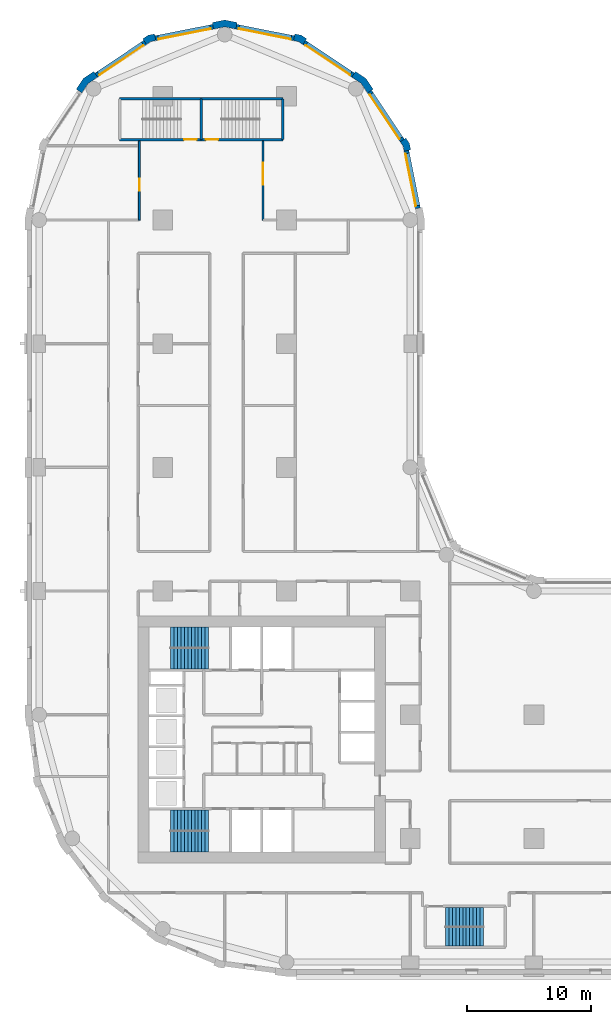
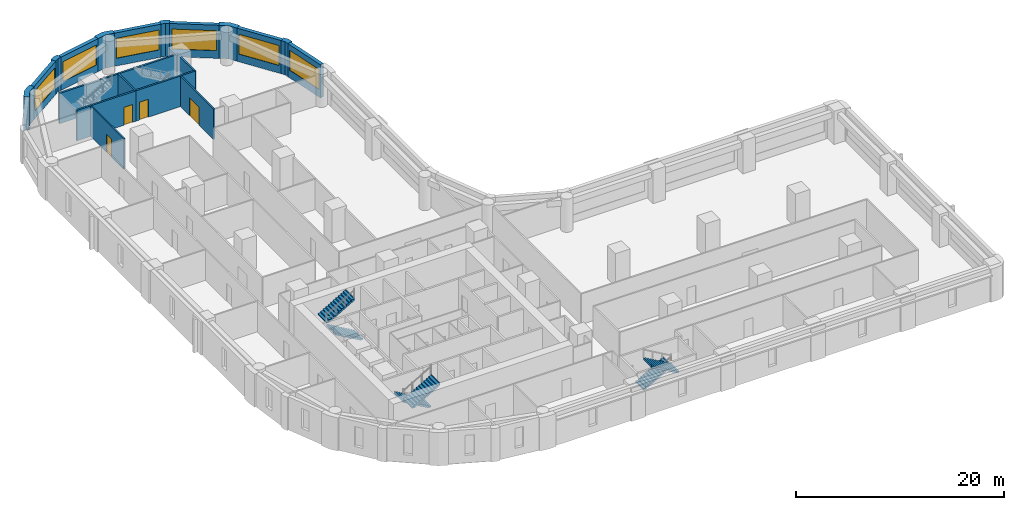
# One storey, part 7 of 10: 20 walls, 6 stair flights, 6 windows, 4 doors, 10 openings, 3 elements without a shape of their own.
"""IFC4 building model written with IfcOpenShell, lengths in metres."""

from ifc_helpers import new_model, si_unit, direction, frame, frame_2d, origin, place, context, subcontext, project, spatial, polyline, rectangle, outline, extrude, material, layer, layer_set, type_object, element, fill, aggregate, save


model = new_model("IFC4")

# Units and contexts
model_context = context("Model", 3, precision=1e-05, world=origin(), true_north=direction((0.0, 1.0)))
body_context = subcontext(model_context, "Body", "Model", "MODEL_VIEW")
ifc_project = project(units=[si_unit("LENGTHUNIT", "METRE"), si_unit("AREAUNIT", "SQUARE_METRE"), si_unit("VOLUMEUNIT", "CUBIC_METRE"), si_unit("PLANEANGLEUNIT", "RADIAN"), si_unit("MASSUNIT", "GRAM", prefix="KILO")], contexts=[model_context])

# Site, building, storey
site_placement = place(None, origin())
site = spatial("IfcSite", under=ifc_project, at=site_placement, CompositionType="ELEMENT")
building_placement = place(site_placement, origin())
building = spatial("IfcBuilding", under=site, at=building_placement, Name="Qaws Garden Tower", CompositionType="ELEMENT")
storey_placement = place(building_placement, frame((0.0, 0.0, 93.89990234375)))
storey = spatial("IfcBuildingStorey", under=building, at=storey_placement, Name="L23", CompositionType="ELEMENT", Elevation=93.89990234375)

# Wall, opening, window
ifc_material_1 = material(Name="Clay facing brick masonry", Category="masonry")
ifc_layer_1 = layer(ifc_material_1, 0.39990234375)
ifc_layer_set_1 = layer_set([ifc_layer_1], Name="Clay facing brick masonry")
wall_type_1 = type_object("IfcWallType", Name="Brick infill wall 400", PredefinedType="SOLIDWALL", material=ifc_layer_set_1)
wall_1_placement = place(storey_placement, frame((30.628662109375, 60.940673828125, 0.0), z_axis=(0.0, 0.0, 1.0), x_axis=(-0.195098533057, 0.98078364709, 0.0)))
wall_1 = element("IfcWall", 1, at=wall_1_placement, inside=storey, type_object=wall_type_1, Name="E-L23-infill-15", PredefinedType="SOLIDWALL", context=body_context, shape_type="SweptSolid", body=[
    extrude(rectangle(XDim=4.752685546875, YDim=0.39990234375, at=frame_2d((2.37646484375, 0.0))), origin(), (0.0, 0.0, 1.0), 3.900146484375),
])
opening_1_placement = place(wall_1_placement, frame((0.226318359375, 0.0, 0.89990234375)))
opening_1 = element("IfcOpeningElement", 2, at=opening_1_placement, cuts=wall_1, Name="Opening W06", PredefinedType="OPENING", context=body_context, shape_type="SweptSolid", body=[
    extrude(rectangle(XDim=4.300048828125, YDim=2.35009765625, at=frame_2d((2.14990234375, 1.175048828125))), frame((0.0, 0.2099609375, 0.0), z_axis=(0.0, -1.0, 0.0), x_axis=(1.0, 0.0, 0.0)), (0.0, 0.0, 1.0), 0.419921875),
])
ifc_material_2 = material(Name="Aluminium framed window, clear glazing", Category="aluminium")
window_type = type_object("IfcWindowType", Name="Ribbon window 4300 x 2350", PartitioningType="DOUBLE_PANEL_VERTICAL", PredefinedType="WINDOW", material=ifc_material_2)
window_1_placement = place(opening_1_placement, origin())
window_1 = element("IfcWindow", 3, at=window_1_placement, inside=storey, type_object=window_type, Name="E-L23-window-15-0", OverallHeight=2.35009765625, OverallWidth=4.300048828125, PartitioningType="SINGLE_PANEL", PredefinedType="WINDOW", context=body_context, shape_type="SweptSolid", body=[
    extrude(rectangle(XDim=4.300048828125, YDim=2.35009765625, at=frame_2d((2.14990234375, 1.175048828125))), frame((0.0, 0.159912109375, 0.0), z_axis=(0.0, -1.0, 0.0), x_axis=(1.0, 0.0, 0.0)), (0.0, 0.0, 1.0), 0.06005859375),
])
fill(opening_1, window_1)

wall_2_placement = place(storey_placement, frame((29.356689453125, 66.43408203125, 0.0), z_axis=(0.0, 0.0, 1.0), x_axis=(-0.555541552266, 0.831488775454, 0.0)))
wall_2 = element("IfcWall", 4, at=wall_2_placement, inside=storey, type_object=wall_type_1, Name="E-L23-infill-16", PredefinedType="SOLIDWALL", context=body_context, shape_type="SweptSolid", body=[
    extrude(rectangle(XDim=4.752685546875, YDim=0.39990234375, at=frame_2d((2.37646484375, 0.0))), origin(), (0.0, 0.0, 1.0), 3.900146484375),
])
opening_2_placement = place(wall_2_placement, frame((0.226318359375, 0.0, 0.89990234375)))
opening_2 = element("IfcOpeningElement", 5, at=opening_2_placement, cuts=wall_2, Name="Opening W06", PredefinedType="OPENING", context=body_context, shape_type="SweptSolid", body=[
    extrude(rectangle(XDim=4.300048828125, YDim=2.35009765625, at=frame_2d((2.14990234375, 1.175048828125))), frame((0.0, 0.2099609375, 0.0), z_axis=(0.0, -1.0, 0.0), x_axis=(1.0, 0.0, 0.0)), (0.0, 0.0, 1.0), 0.419921875),
])
window_2_placement = place(opening_2_placement, origin())
window_2 = element("IfcWindow", 6, at=window_2_placement, inside=storey, type_object=window_type, Name="E-L23-window-16-0", OverallHeight=2.35009765625, OverallWidth=4.300048828125, PartitioningType="SINGLE_PANEL", PredefinedType="WINDOW", context=body_context, shape_type="SweptSolid", body=[
    extrude(rectangle(XDim=4.300048828125, YDim=2.35009765625, at=frame_2d((2.14990234375, 1.175048828125))), frame((0.0, 0.159912109375, 0.0), z_axis=(0.0, -1.0, 0.0), x_axis=(1.0, 0.0, 0.0)), (0.0, 0.0, 1.0), 0.06005859375),
])
fill(opening_2, window_2)

wall_3_placement = place(storey_placement, frame((25.385986328125, 71.71630859375, 0.0), z_axis=(0.0, 0.0, 1.0), x_axis=(-0.831488775454, 0.555541552266, 0.0)))
wall_3 = element("IfcWall", 7, at=wall_3_placement, inside=storey, type_object=wall_type_1, Name="E-L23-infill-17", PredefinedType="SOLIDWALL", context=body_context, shape_type="SweptSolid", body=[
    extrude(rectangle(XDim=4.752685546875, YDim=0.39990234375, at=frame_2d((2.37646484375, 0.0))), origin(), (0.0, 0.0, 1.0), 3.900146484375),
])
opening_3_placement = place(wall_3_placement, frame((0.226318359375, 0.0, 0.89990234375)))
opening_3 = element("IfcOpeningElement", 8, at=opening_3_placement, cuts=wall_3, Name="Opening W06", PredefinedType="OPENING", context=body_context, shape_type="SweptSolid", body=[
    extrude(rectangle(XDim=4.300048828125, YDim=2.35009765625, at=frame_2d((2.14990234375, 1.175048828125))), frame((0.0, 0.2099609375, 0.0), z_axis=(0.0, -1.0, 0.0), x_axis=(1.0, 0.0, 0.0)), (0.0, 0.0, 1.0), 0.419921875),
])
window_3_placement = place(opening_3_placement, origin())
window_3 = element("IfcWindow", 9, at=window_3_placement, inside=storey, type_object=window_type, Name="E-L23-window-17-0", OverallHeight=2.35009765625, OverallWidth=4.300048828125, PartitioningType="SINGLE_PANEL", PredefinedType="WINDOW", context=body_context, shape_type="SweptSolid", body=[
    extrude(rectangle(XDim=4.300048828125, YDim=2.35009765625, at=frame_2d((2.14990234375, 1.175048828125))), frame((0.0, 0.159912109375, 0.0), z_axis=(0.0, -1.0, 0.0), x_axis=(1.0, 0.0, 0.0)), (0.0, 0.0, 1.0), 0.06005859375),
])
fill(opening_3, window_3)

wall_4_placement = place(storey_placement, frame((20.60205078125, 74.701416015625, 0.0), z_axis=(0.0, 0.0, 1.0), x_axis=(-0.98078364709, 0.195098533057, 0.0)))
wall_4 = element("IfcWall", 10, at=wall_4_placement, inside=storey, type_object=wall_type_1, Name="E-L23-infill-18", PredefinedType="SOLIDWALL", context=body_context, shape_type="SweptSolid", body=[
    extrude(rectangle(XDim=4.752685546875, YDim=0.39990234375, at=frame_2d((2.37646484375, 0.0))), origin(), (0.0, 0.0, 1.0), 3.900146484375),
])
opening_4_placement = place(wall_4_placement, frame((0.226318359375, 0.0, 0.89990234375)))
opening_4 = element("IfcOpeningElement", 11, at=opening_4_placement, cuts=wall_4, Name="Opening W06", PredefinedType="OPENING", context=body_context, shape_type="SweptSolid", body=[
    extrude(rectangle(XDim=4.300048828125, YDim=2.35009765625, at=frame_2d((2.14990234375, 1.175048828125))), frame((0.0, 0.2099609375, 0.0), z_axis=(0.0, -1.0, 0.0), x_axis=(1.0, 0.0, 0.0)), (0.0, 0.0, 1.0), 0.419921875),
])
window_4_placement = place(opening_4_placement, origin())
window_4 = element("IfcWindow", 12, at=window_4_placement, inside=storey, type_object=window_type, Name="E-L23-window-18-0", OverallHeight=2.35009765625, OverallWidth=4.300048828125, PartitioningType="SINGLE_PANEL", PredefinedType="WINDOW", context=body_context, shape_type="SweptSolid", body=[
    extrude(rectangle(XDim=4.300048828125, YDim=2.35009765625, at=frame_2d((2.14990234375, 1.175048828125))), frame((0.0, 0.159912109375, 0.0), z_axis=(0.0, -1.0, 0.0), x_axis=(1.0, 0.0, 0.0)), (0.0, 0.0, 1.0), 0.06005859375),
])
fill(opening_4, window_4)

wall_5_placement = place(storey_placement, frame((14.059326171875, 75.628662109375, 0.0), z_axis=(0.0, 0.0, 1.0), x_axis=(-0.98078364709, -0.195098533057, 0.0)))
wall_5 = element("IfcWall", 13, at=wall_5_placement, inside=storey, type_object=wall_type_1, Name="E-L23-infill-19", PredefinedType="SOLIDWALL", context=body_context, shape_type="SweptSolid", body=[
    extrude(rectangle(XDim=4.752685546875, YDim=0.39990234375, at=frame_2d((2.37646484375, 0.0))), origin(), (0.0, 0.0, 1.0), 3.900146484375),
])
opening_5_placement = place(wall_5_placement, frame((0.226318359375, 0.0, 0.89990234375)))
opening_5 = element("IfcOpeningElement", 14, at=opening_5_placement, cuts=wall_5, Name="Opening W06", PredefinedType="OPENING", context=body_context, shape_type="SweptSolid", body=[
    extrude(rectangle(XDim=4.300048828125, YDim=2.35009765625, at=frame_2d((2.14990234375, 1.175048828125))), frame((0.0, 0.2099609375, 0.0), z_axis=(0.0, -1.0, 0.0), x_axis=(1.0, 0.0, 0.0)), (0.0, 0.0, 1.0), 0.419921875),
])
window_5_placement = place(opening_5_placement, origin())
window_5 = element("IfcWindow", 15, at=window_5_placement, inside=storey, type_object=window_type, Name="E-L23-window-19-0", OverallHeight=2.35009765625, OverallWidth=4.300048828125, PartitioningType="SINGLE_PANEL", PredefinedType="WINDOW", context=body_context, shape_type="SweptSolid", body=[
    extrude(rectangle(XDim=4.300048828125, YDim=2.35009765625, at=frame_2d((2.14990234375, 1.175048828125))), frame((0.0, 0.159912109375, 0.0), z_axis=(0.0, -1.0, 0.0), x_axis=(1.0, 0.0, 0.0)), (0.0, 0.0, 1.0), 0.06005859375),
])
fill(opening_5, window_5)

wall_6_placement = place(storey_placement, frame((8.56591796875, 74.356689453125, 0.0), z_axis=(0.0, 0.0, 1.0), x_axis=(-0.831488775454, -0.555541552266, 0.0)))
wall_6 = element("IfcWall", 16, at=wall_6_placement, inside=storey, type_object=wall_type_1, Name="E-L23-infill-20", PredefinedType="SOLIDWALL", context=body_context, shape_type="SweptSolid", body=[
    extrude(rectangle(XDim=4.752685546875, YDim=0.39990234375, at=frame_2d((2.37646484375, 0.0))), origin(), (0.0, 0.0, 1.0), 3.900146484375),
])
opening_6_placement = place(wall_6_placement, frame((0.226318359375, 0.0, 0.89990234375)))
opening_6 = element("IfcOpeningElement", 17, at=opening_6_placement, cuts=wall_6, Name="Opening W06", PredefinedType="OPENING", context=body_context, shape_type="SweptSolid", body=[
    extrude(rectangle(XDim=4.300048828125, YDim=2.35009765625, at=frame_2d((2.14990234375, 1.175048828125))), frame((0.0, 0.2099609375, 0.0), z_axis=(0.0, -1.0, 0.0), x_axis=(1.0, 0.0, 0.0)), (0.0, 0.0, 1.0), 0.419921875),
])
window_6_placement = place(opening_6_placement, origin())
window_6 = element("IfcWindow", 18, at=window_6_placement, inside=storey, type_object=window_type, Name="E-L23-window-20-0", OverallHeight=2.35009765625, OverallWidth=4.300048828125, PartitioningType="SINGLE_PANEL", PredefinedType="WINDOW", context=body_context, shape_type="SweptSolid", body=[
    extrude(rectangle(XDim=4.300048828125, YDim=2.35009765625, at=frame_2d((2.14990234375, 1.175048828125))), frame((0.0, 0.159912109375, 0.0), z_axis=(0.0, -1.0, 0.0), x_axis=(1.0, 0.0, 0.0)), (0.0, 0.0, 1.0), 0.06005859375),
])
fill(opening_6, window_6)

# Walls
ifc_material_3 = material(Name="Clay facing brick masonry", Category="masonry")
ifc_layer_2 = layer(ifc_material_3, 0.550048828125)
ifc_layer_set_2 = layer_set([ifc_layer_2], Name="Clay facing brick masonry")
wall_type_2 = type_object("IfcWallType", Name="Brick kink pier 550 x 600", PredefinedType="SOLIDWALL", material=ifc_layer_set_2)
placement = place(storey_placement, origin())
element("IfcWall", 19, at=placement, inside=storey, type_object=wall_type_2, Name="E-L23-pier-16", PredefinedType="SOLIDWALL", context=body_context, shape_type="SweptSolid", body=[
    extrude(outline(polyline([(29.8974609375, 65.64111328125), (30.044677734375, 65.67041015625), (29.94140625, 66.18896484375), (29.647705078125, 66.628662109375), (29.52294921875, 66.545166015625), (29.1904296875, 66.322998046875), (29.42333984375, 65.974365234375), (29.505126953125, 65.56298828125), (29.8974609375, 65.64111328125)])), origin(), (0.0, 0.0, 1.0), 3.900146484375),
])
element("IfcWall", 20, at=placement, inside=storey, type_object=wall_type_2, Name="E-L23-pier-18", PredefinedType="SOLIDWALL", context=body_context, shape_type="SweptSolid", body=[
    extrude(outline(polyline([(21.545166015625, 74.52294921875), (21.628662109375, 74.647705078125), (21.18896484375, 74.94140625), (20.67041015625, 75.044677734375), (20.64111328125, 74.8974609375), (20.56298828125, 74.505126953125), (20.974365234375, 74.42333984375), (21.322998046875, 74.1904296875), (21.545166015625, 74.52294921875)])), origin(), (0.0, 0.0, 1.0), 3.900146484375),
])
element("IfcWall", 21, at=placement, inside=storey, type_object=wall_type_2, Name="E-L23-pier-20", PredefinedType="SOLIDWALL", context=body_context, shape_type="SweptSolid", body=[
    extrude(outline(polyline([(9.35888671875, 74.8974609375), (9.32958984375, 75.044677734375), (8.81103515625, 74.94140625), (8.371337890625, 74.647705078125), (8.454833984375, 74.52294921875), (8.677001953125, 74.1904296875), (9.025634765625, 74.42333984375), (9.43701171875, 74.505126953125), (9.35888671875, 74.8974609375)])), origin(), (0.0, 0.0, 1.0), 3.900146484375),
])
ifc_material_4 = material(Name="Clay facing brick masonry", Category="masonry")
ifc_layer_3 = layer(ifc_material_4, 0.550048828125)
ifc_layer_set_3 = layer_set([ifc_layer_3], Name="Clay facing brick masonry")
wall_type_3 = type_object("IfcWallType", Name="Brick pier 550 x 1600", PredefinedType="SOLIDWALL", material=ifc_layer_set_3)
element("IfcWall", 22, at=placement, inside=storey, type_object=wall_type_3, Name="E-L23-pier-17", PredefinedType="SOLIDWALL", context=body_context, shape_type="SweptSolid", body=[
    extrude(outline(polyline([(26.882568359375, 70.4970703125), (27.00732421875, 70.580322265625), (26.435791015625, 71.435791015625), (25.580322265625, 72.00732421875), (25.4970703125, 71.882568359375), (25.274658203125, 71.550048828125), (26.0390625, 71.0390625), (26.550048828125, 70.274658203125), (26.882568359375, 70.4970703125)])), origin(), (0.0, 0.0, 1.0), 3.900146484375),
])
element("IfcWall", 23, at=placement, inside=storey, type_object=wall_type_3, Name="E-L23-pier-19", PredefinedType="SOLIDWALL", context=body_context, shape_type="SweptSolid", body=[
    extrude(outline(polyline([(15.979736328125, 75.82470703125), (16.009033203125, 75.971923828125), (15.0, 76.172607421875), (13.990966796875, 75.971923828125), (14.020263671875, 75.82470703125), (14.098388671875, 75.432373046875), (15.0, 75.61181640625), (15.901611328125, 75.432373046875), (15.979736328125, 75.82470703125)])), origin(), (0.0, 0.0, 1.0), 3.900146484375),
])
element("IfcWall", 24, at=placement, inside=storey, type_object=wall_type_3, Name="E-L23-pier-21", PredefinedType="SOLIDWALL", context=body_context, shape_type="SweptSolid", body=[
    extrude(outline(polyline([(4.5029296875, 71.882568359375), (4.419677734375, 72.00732421875), (3.564208984375, 71.435791015625), (2.99267578125, 70.580322265625), (3.117431640625, 70.4970703125), (3.449951171875, 70.274658203125), (3.9609375, 71.0390625), (4.725341796875, 71.550048828125), (4.5029296875, 71.882568359375)])), origin(), (0.0, 0.0, 1.0), 3.900146484375),
])

# Wall, opening, door
ifc_material_5 = material(Name="Concrete C80", Category="concrete")
ifc_layer_4 = layer(ifc_material_5, 0.199951171875)
ifc_layer_set_4 = layer_set([ifc_layer_4], Name="Concrete C80")
wall_type_4 = type_object("IfcWallType", Name="Core shaft wall 200 C80", PredefinedType="SHEAR", material=ifc_layer_set_4)
wall_13_placement = place(storey_placement, frame((6.5, 66.5, 0.0), z_axis=(0.0, 0.0, 1.0), x_axis=(1.0, 0.0, 0.0)))
wall_13 = element("IfcWall", 25, at=wall_13_placement, inside=storey, type_object=wall_type_4, Name="Shaft wall", PredefinedType="SHEAR", context=body_context, shape_type="SweptSolid", body=[
    extrude(rectangle(XDim=6.60009765625, YDim=0.199951171875, at=frame_2d((3.300048828125, 0.0))), origin(), (0.0, 0.0, 1.0), 3.580078125),
])
opening_7_placement = place(wall_13_placement, frame((5.22509765625, 0.0, 0.0)))
opening_7 = element("IfcOpeningElement", 26, at=opening_7_placement, cuts=wall_13, Name="Opening SD13", PredefinedType="OPENING", context=body_context, shape_type="SweptSolid", body=[
    extrude(rectangle(XDim=1.0, YDim=2.10009765625, at=frame_2d((0.5, 1.050048828125))), frame((0.0, 0.10986328125, 0.0), z_axis=(0.0, -1.0, 0.0), x_axis=(1.0, 0.0, 0.0)), (0.0, 0.0, 1.0), 0.219970703125),
])
ifc_material_6 = material(Name="Steel S235", Category="steel")
door_type_1 = type_object("IfcDoorType", Name="Stair door 1000x2100", OperationType="SINGLE_SWING_RIGHT", PredefinedType="DOOR", material=ifc_material_6)
door_1_placement = place(opening_7_placement, origin())
door_1 = element("IfcDoor", 27, at=door_1_placement, inside=storey, type_object=door_type_1, Name="Stair 6 door", OperationType="SINGLE_SWING_RIGHT", OverallHeight=2.10009765625, OverallWidth=1.0, PredefinedType="DOOR", context=body_context, shape_type="SweptSolid", body=[
    extrude(rectangle(XDim=1.0, YDim=2.10009765625, at=frame_2d((0.5, 1.050048828125))), frame((0.0, 0.02490234375, 0.0), z_axis=(0.0, -1.0, 0.0), x_axis=(1.0, 0.0, 0.0)), (0.0, 0.0, 1.0), 0.050048828125),
])
fill(opening_7, door_1)

wall_14_placement = place(storey_placement, frame((13.10009765625, 66.5, 0.0), z_axis=(0.0, 0.0, 1.0), x_axis=(1.0, 0.0, 0.0)))
wall_14 = element("IfcWall", 28, at=wall_14_placement, inside=storey, type_object=wall_type_4, Name="Shaft wall", PredefinedType="SHEAR", context=body_context, shape_type="SweptSolid", body=[
    extrude(rectangle(XDim=6.599853515625, YDim=0.199951171875, at=frame_2d((3.2998046875, 0.0))), origin(), (0.0, 0.0, 1.0), 3.580078125),
])
opening_8_placement = place(wall_14_placement, frame((0.375, 0.0, 0.0)))
opening_8 = element("IfcOpeningElement", 29, at=opening_8_placement, cuts=wall_14, Name="Opening SD14", PredefinedType="OPENING", context=body_context, shape_type="SweptSolid", body=[
    extrude(rectangle(XDim=1.0, YDim=2.10009765625, at=frame_2d((0.5, 1.050048828125))), frame((0.0, 0.10986328125, 0.0), z_axis=(0.0, -1.0, 0.0), x_axis=(1.0, 0.0, 0.0)), (0.0, 0.0, 1.0), 0.219970703125),
])
door_2_placement = place(opening_8_placement, origin())
door_2 = element("IfcDoor", 30, at=door_2_placement, inside=storey, type_object=door_type_1, Name="Stair 7 door", OperationType="SINGLE_SWING_LEFT", OverallHeight=2.10009765625, OverallWidth=1.0, PredefinedType="DOOR", context=body_context, shape_type="SweptSolid", body=[
    extrude(rectangle(XDim=1.0, YDim=2.10009765625, at=frame_2d((0.5, 1.050048828125))), frame((0.0, 0.02490234375, 0.0), z_axis=(0.0, -1.0, 0.0), x_axis=(1.0, 0.0, 0.0)), (0.0, 0.0, 1.0), 0.050048828125),
])
fill(opening_8, door_2)

# Walls
wall_15_placement = place(storey_placement, frame((6.5, 69.800048828125, 0.0), z_axis=(0.0, 0.0, 1.0), x_axis=(1.0, 0.0, 0.0)))
element("IfcWall", 31, at=wall_15_placement, inside=storey, type_object=wall_type_4, Name="Shaft wall", PredefinedType="SHEAR", context=body_context, shape_type="SweptSolid", body=[
    extrude(rectangle(XDim=6.60009765625, YDim=0.199951171875, at=frame_2d((3.300048828125, 0.0))), origin(), (0.0, 0.0, 1.0), 3.580078125),
])
wall_16_placement = place(storey_placement, frame((13.10009765625, 69.800048828125, 0.0), z_axis=(0.0, 0.0, 1.0), x_axis=(1.0, 0.0, 0.0)))
element("IfcWall", 32, at=wall_16_placement, inside=storey, type_object=wall_type_4, Name="Shaft wall", PredefinedType="SHEAR", context=body_context, shape_type="SweptSolid", body=[
    extrude(rectangle(XDim=6.599853515625, YDim=0.199951171875, at=frame_2d((3.2998046875, 0.0))), origin(), (0.0, 0.0, 1.0), 3.580078125),
])
for number, where, z_axis, x_axis, name in (
    (33, (13.10009765625, 66.5, 0.0), (0.0, 0.0, 1.0), (0.0, 1.0, 0.0), "Shaft wall"),
    (34, (19.699951171875, 66.5, 0.0), (0.0, 0.0, 1.0), (0.0, 1.0, 0.0), "Shaft wall"),
):
    element("IfcWall", number, at=place(storey_placement, frame(where, z_axis=z_axis, x_axis=x_axis)), inside=storey, type_object=wall_type_4, Name=name, PredefinedType="SHEAR", context=body_context, shape_type="SweptSolid", body=[
        extrude(rectangle(XDim=3.300048828125, YDim=0.199951171875, at=frame_2d((1.64990234375, 0.0))), origin(), (0.0, 0.0, 1.0), 3.580078125),
    ])

# Wall, opening, door
ifc_material_7 = material(Name="Gypsum board partition")
ifc_layer_5 = layer(ifc_material_7, 0.14990234375)
ifc_layer_set_5 = layer_set([ifc_layer_5], Name="Gypsum board partition")
wall_type_5 = type_object("IfcWallType", Name="PARTITION 150 EI 60", PredefinedType="PARTITIONING", material=ifc_layer_set_5)
wall_17_placement = place(storey_placement, frame((8.10009765625, 60.0, 0.0), z_axis=(0.0, 0.0, 1.0), x_axis=(0.0, 1.0, 0.0)))
wall_17 = element("IfcWall", 35, at=wall_17_placement, inside=storey, type_object=wall_type_5, Name="O-L23-wall-004", PredefinedType="PARTITIONING", context=body_context, shape_type="SweptSolid", body=[
    extrude(rectangle(XDim=6.39990234375, YDim=0.14990234375, at=frame_2d((3.199951171875, 0.0))), origin(), (0.0, 0.0, 1.0), 3.580078125),
])
opening_9_placement = place(wall_17_placement, frame((2.35009765625, 0.0, 0.0)))
opening_9 = element("IfcOpeningElement", 36, at=opening_9_placement, cuts=wall_17, Name="Opening A820", PredefinedType="OPENING", context=body_context, shape_type="SweptSolid", body=[
    extrude(rectangle(XDim=1.0, YDim=2.10009765625, at=frame_2d((0.5, 1.050048828125))), frame((0.0, 0.0849609375, 0.0), z_axis=(0.0, -1.0, 0.0), x_axis=(1.0, 0.0, 0.0)), (0.0, 0.0, 1.0), 0.169921875),
])
ifc_material_8 = material(Name="Timber door leaf", Category="wood")
door_type_2 = type_object("IfcDoorType", Name="TENANCY ENTRANCE DOOR 1000 X 2100", OperationType="SINGLE_SWING_LEFT", PredefinedType="DOOR", material=ifc_material_8)
door_3_placement = place(opening_9_placement, origin())
door_3 = element("IfcDoor", 37, at=door_3_placement, inside=storey, type_object=door_type_2, Name="O-L23-door-020", OperationType="SINGLE_SWING_LEFT", OverallHeight=2.10009765625, OverallWidth=1.0, PredefinedType="DOOR", context=body_context, shape_type="SweptSolid", body=[
    extrude(rectangle(XDim=1.0, YDim=2.10009765625, at=frame_2d((0.5, 1.050048828125))), frame((0.0, 0.02490234375, 0.0), z_axis=(0.0, -1.0, 0.0), x_axis=(1.0, 0.0, 0.0)), (0.0, 0.0, 1.0), 0.050048828125),
])
fill(opening_9, door_3)

wall_18_placement = place(storey_placement, frame((18.10009765625, 60.0, 0.0), z_axis=(0.0, 0.0, 1.0), x_axis=(0.0, 1.0, 0.0)))
wall_18 = element("IfcWall", 38, at=wall_18_placement, inside=storey, type_object=wall_type_5, Name="O-L23-wall-009", PredefinedType="PARTITIONING", context=body_context, shape_type="SweptSolid", body=[
    extrude(rectangle(XDim=6.39990234375, YDim=0.14990234375, at=frame_2d((3.199951171875, 0.0))), origin(), (0.0, 0.0, 1.0), 3.580078125),
])
opening_10_placement = place(wall_18_placement, frame((2.85009765625, 0.0, 0.0)))
opening_10 = element("IfcOpeningElement", 39, at=opening_10_placement, cuts=wall_18, Name="Opening A821", PredefinedType="OPENING", context=body_context, shape_type="SweptSolid", body=[
    extrude(rectangle(XDim=1.800048828125, YDim=2.10009765625, at=frame_2d((0.89990234375, 1.050048828125))), frame((0.0, 0.0849609375, 0.0), z_axis=(0.0, -1.0, 0.0), x_axis=(1.0, 0.0, 0.0)), (0.0, 0.0, 1.0), 0.169921875),
])
ifc_material_9 = material(Name="Timber door leaf", Category="wood")
door_type_3 = type_object("IfcDoorType", Name="DOUBLE DOOR 1800 X 2100", OperationType="DOUBLE_DOOR_SINGLE_SWING", PredefinedType="DOOR", material=ifc_material_9)
door_4_placement = place(opening_10_placement, frame((1.800048828125, 0.0, 0.0), z_axis=(0.0, 0.0, 1.0), x_axis=(-1.0, 0.0, 0.0)))
door_4 = element("IfcDoor", 40, at=door_4_placement, inside=storey, type_object=door_type_3, Name="O-L23-door-021", OperationType="DOUBLE_DOOR_SINGLE_SWING", OverallHeight=2.10009765625, OverallWidth=1.800048828125, PredefinedType="DOOR", context=body_context, shape_type="SweptSolid", body=[
    extrude(rectangle(XDim=1.800048828125, YDim=2.10009765625, at=frame_2d((0.89990234375, 1.050048828125))), frame((0.0, 0.02490234375, 0.0), z_axis=(0.0, -1.0, 0.0), x_axis=(1.0, 0.0, 0.0)), (0.0, 0.0, 1.0), 0.050048828125),
])
fill(opening_10, door_4)

# Stair, stair flights
ifc_material_10 = material(Name="Concrete C40", Category="concrete")
stair_type_1 = type_object("IfcStairType", Name="Exit stair 1350", PredefinedType="HALF_TURN_STAIR", material=ifc_material_10)
stair_1 = element("IfcStair", 41, at=placement, inside=storey, type_object=stair_type_1, Name="Stair 5", PredefinedType="HALF_TURN_STAIR")
ifc_material_11 = material(Name="Concrete C40", Category="concrete")
stair_flight_type_1 = type_object("IfcStairFlightType", Name="Stair flight 1350", PredefinedType="STRAIGHT", material=ifc_material_11)
stair_flight_1_placement = place(storey_placement, frame((32.85009765625, 3.625, 0.0), z_axis=(0.0, 0.0, 1.0), x_axis=(1.0, 0.0, 0.0)))
stair_flight_1 = element("IfcStairFlight", 42, at=stair_flight_1_placement, type_object=stair_flight_type_1, Name="ST5 flight 1", NumberOfRisers=12, NumberOfTreads=11, PredefinedType="STRAIGHT", RiserHeight=0.1625, TreadLength=0.28, context=body_context, shape_type="SweptSolid", body=[
    extrude(outline(polyline([(-0.0029296875, 0.0), (-0.0029296875, 0.16259765625), (0.0, 0.16259765625), (0.280029296875, 0.16259765625), (0.280029296875, 0.324951171875), (0.56005859375, 0.324951171875), (0.56005859375, 0.487548828125), (0.840087890625, 0.487548828125), (0.840087890625, 0.64990234375), (1.1201171875, 0.64990234375), (1.1201171875, 0.8125), (1.39990234375, 0.8125), (1.39990234375, 0.97509765625), (1.679931640625, 0.97509765625), (1.679931640625, 1.137451171875), (1.9599609375, 1.137451171875), (1.9599609375, 1.300048828125), (2.239990234375, 1.300048828125), (2.239990234375, 1.46240234375), (2.52001953125, 1.46240234375), (2.52001953125, 1.625), (2.800048828125, 1.625), (2.800048828125, 1.78759765625), (3.080078125, 1.78759765625), (3.080078125, 1.949951171875), (3.0830078125, 1.949951171875), (3.0830078125, 1.6142578125), (3.080078125, 1.6142578125), (0.298583984375, 0.0), (-0.0029296875, 0.0)])), frame((0.0, 0.77490234375, 0.0), z_axis=(0.0, -1.0, 0.0), x_axis=(1.0, 0.0, 0.0)), (0.0, 0.0, 1.0), 1.550048828125),
])
stair_flight_2_placement = place(storey_placement, frame((35.929931640625, 2.074951171875, 1.9501953125), z_axis=(0.0, 0.0, 1.0), x_axis=(-1.0, 0.0, 0.0)))
stair_flight_2 = element("IfcStairFlight", 43, at=stair_flight_2_placement, type_object=stair_flight_type_1, Name="ST5 flight 2", NumberOfRisers=12, NumberOfTreads=11, PredefinedType="STRAIGHT", RiserHeight=0.1625, TreadLength=0.28, context=body_context, shape_type="SweptSolid", body=[
    extrude(outline(polyline([(-0.0029296875, 0.0), (-0.0029296875, 0.16259765625), (0.0, 0.16259765625), (0.280029296875, 0.16259765625), (0.280029296875, 0.324951171875), (0.56005859375, 0.324951171875), (0.56005859375, 0.487548828125), (0.840087890625, 0.487548828125), (0.840087890625, 0.64990234375), (1.1201171875, 0.64990234375), (1.1201171875, 0.8125), (1.39990234375, 0.8125), (1.39990234375, 0.97509765625), (1.679931640625, 0.97509765625), (1.679931640625, 1.137451171875), (1.9599609375, 1.137451171875), (1.9599609375, 1.300048828125), (2.239990234375, 1.300048828125), (2.239990234375, 1.46240234375), (2.52001953125, 1.46240234375), (2.52001953125, 1.625), (2.800048828125, 1.625), (2.800048828125, 1.78759765625), (3.080078125, 1.78759765625), (3.080078125, 1.949951171875), (3.0830078125, 1.949951171875), (3.0830078125, 1.6142578125), (3.080078125, 1.6142578125), (0.298583984375, 0.0), (-0.0029296875, 0.0)])), frame((0.0, 0.77490234375, 0.0), z_axis=(0.0, -1.0, 0.0), x_axis=(1.0, 0.0, 0.0)), (0.0, 0.0, 1.0), 1.550048828125),
])
aggregate(stair_1, [stair_flight_1, stair_flight_2])

ifc_material_12 = material(Name="Concrete C40", Category="concrete")
stair_type_2 = type_object("IfcStairType", Name="Exit stair 1500", PredefinedType="HALF_TURN_STAIR", material=ifc_material_12)
stair_2 = element("IfcStair", 44, at=placement, inside=storey, type_object=stair_type_2, Name="Stair 1", PredefinedType="HALF_TURN_STAIR")
ifc_material_13 = material(Name="Concrete C40", Category="concrete")
stair_flight_type_2 = type_object("IfcStairFlightType", Name="Stair flight 1500", PredefinedType="STRAIGHT", material=ifc_material_13)
stair_flight_3_placement = place(storey_placement, frame((13.699951171875, 11.449951171875, 0.0), z_axis=(0.0, 0.0, 1.0), x_axis=(-1.0, 0.0, 0.0)))
stair_flight_3 = element("IfcStairFlight", 45, at=stair_flight_3_placement, type_object=stair_flight_type_2, Name="ST1 flight 1", NumberOfRisers=12, NumberOfTreads=11, PredefinedType="STRAIGHT", RiserHeight=0.1625, TreadLength=0.28, context=body_context, shape_type="SweptSolid", body=[
    extrude(outline(polyline([(-0.0029296875, 0.0), (-0.0029296875, 0.16259765625), (0.0, 0.16259765625), (0.280029296875, 0.16259765625), (0.280029296875, 0.324951171875), (0.56005859375, 0.324951171875), (0.56005859375, 0.487548828125), (0.840087890625, 0.487548828125), (0.840087890625, 0.64990234375), (1.1201171875, 0.64990234375), (1.1201171875, 0.8125), (1.39990234375, 0.8125), (1.39990234375, 0.97509765625), (1.679931640625, 0.97509765625), (1.679931640625, 1.137451171875), (1.9599609375, 1.137451171875), (1.9599609375, 1.300048828125), (2.239990234375, 1.300048828125), (2.239990234375, 1.46240234375), (2.52001953125, 1.46240234375), (2.52001953125, 1.625), (2.800048828125, 1.625), (2.800048828125, 1.78759765625), (3.080078125, 1.78759765625), (3.080078125, 1.949951171875), (3.0830078125, 1.949951171875), (3.0830078125, 1.6142578125), (3.080078125, 1.6142578125), (0.298583984375, 0.0), (-0.0029296875, 0.0)])), frame((0.0, 0.85009765625, 0.0), z_axis=(0.0, -1.0, 0.0), x_axis=(1.0, 0.0, 0.0)), (0.0, 0.0, 1.0), 1.699951171875),
])
stair_flight_4_placement = place(storey_placement, frame((10.6201171875, 9.75, 1.9501953125), z_axis=(0.0, 0.0, 1.0), x_axis=(1.0, 0.0, 0.0)))
stair_flight_4 = element("IfcStairFlight", 46, at=stair_flight_4_placement, type_object=stair_flight_type_2, Name="ST1 flight 2", NumberOfRisers=12, NumberOfTreads=11, PredefinedType="STRAIGHT", RiserHeight=0.1625, TreadLength=0.28, context=body_context, shape_type="SweptSolid", body=[
    extrude(outline(polyline([(-0.0029296875, 0.0), (-0.0029296875, 0.16259765625), (0.0, 0.16259765625), (0.280029296875, 0.16259765625), (0.280029296875, 0.324951171875), (0.56005859375, 0.324951171875), (0.56005859375, 0.487548828125), (0.840087890625, 0.487548828125), (0.840087890625, 0.64990234375), (1.1201171875, 0.64990234375), (1.1201171875, 0.8125), (1.39990234375, 0.8125), (1.39990234375, 0.97509765625), (1.679931640625, 0.97509765625), (1.679931640625, 1.137451171875), (1.9599609375, 1.137451171875), (1.9599609375, 1.300048828125), (2.239990234375, 1.300048828125), (2.239990234375, 1.46240234375), (2.52001953125, 1.46240234375), (2.52001953125, 1.625), (2.800048828125, 1.625), (2.800048828125, 1.78759765625), (3.080078125, 1.78759765625), (3.080078125, 1.949951171875), (3.0830078125, 1.949951171875), (3.0830078125, 1.6142578125), (3.080078125, 1.6142578125), (0.298583984375, 0.0), (-0.0029296875, 0.0)])), frame((0.0, 0.85009765625, 0.0), z_axis=(0.0, -1.0, 0.0), x_axis=(1.0, 0.0, 0.0)), (0.0, 0.0, 1.0), 1.699951171875),
])
aggregate(stair_2, [stair_flight_3, stair_flight_4])

stair_3 = element("IfcStair", 47, at=placement, inside=storey, type_object=stair_type_2, Name="Stair 4", PredefinedType="HALF_TURN_STAIR")
stair_flight_5_placement = place(storey_placement, frame((13.699951171875, 24.550048828125, 0.0), z_axis=(0.0, 0.0, 1.0), x_axis=(-1.0, 0.0, 0.0)))
stair_flight_5 = element("IfcStairFlight", 48, at=stair_flight_5_placement, type_object=stair_flight_type_2, Name="ST4 flight 1", NumberOfRisers=12, NumberOfTreads=11, PredefinedType="STRAIGHT", RiserHeight=0.1625, TreadLength=0.28, context=body_context, shape_type="SweptSolid", body=[
    extrude(outline(polyline([(-0.0029296875, 0.0), (-0.0029296875, 0.16259765625), (0.0, 0.16259765625), (0.280029296875, 0.16259765625), (0.280029296875, 0.324951171875), (0.56005859375, 0.324951171875), (0.56005859375, 0.487548828125), (0.840087890625, 0.487548828125), (0.840087890625, 0.64990234375), (1.1201171875, 0.64990234375), (1.1201171875, 0.8125), (1.39990234375, 0.8125), (1.39990234375, 0.97509765625), (1.679931640625, 0.97509765625), (1.679931640625, 1.137451171875), (1.9599609375, 1.137451171875), (1.9599609375, 1.300048828125), (2.239990234375, 1.300048828125), (2.239990234375, 1.46240234375), (2.52001953125, 1.46240234375), (2.52001953125, 1.625), (2.800048828125, 1.625), (2.800048828125, 1.78759765625), (3.080078125, 1.78759765625), (3.080078125, 1.949951171875), (3.0830078125, 1.949951171875), (3.0830078125, 1.6142578125), (3.080078125, 1.6142578125), (0.298583984375, 0.0), (-0.0029296875, 0.0)])), frame((0.0, 0.844970703125, 0.0), z_axis=(0.0, -1.0, 0.0), x_axis=(1.0, 0.0, 0.0)), (0.0, 0.0, 1.0), 1.68994140625),
])
stair_flight_6_placement = place(storey_placement, frame((10.6201171875, 26.25, 1.9501953125), z_axis=(0.0, 0.0, 1.0), x_axis=(1.0, 0.0, 0.0)))
stair_flight_6 = element("IfcStairFlight", 49, at=stair_flight_6_placement, type_object=stair_flight_type_2, Name="ST4 flight 2", NumberOfRisers=12, NumberOfTreads=11, PredefinedType="STRAIGHT", RiserHeight=0.1625, TreadLength=0.28, context=body_context, shape_type="SweptSolid", body=[
    extrude(outline(polyline([(-0.0029296875, 0.0), (-0.0029296875, 0.16259765625), (0.0, 0.16259765625), (0.280029296875, 0.16259765625), (0.280029296875, 0.324951171875), (0.56005859375, 0.324951171875), (0.56005859375, 0.487548828125), (0.840087890625, 0.487548828125), (0.840087890625, 0.64990234375), (1.1201171875, 0.64990234375), (1.1201171875, 0.8125), (1.39990234375, 0.8125), (1.39990234375, 0.97509765625), (1.679931640625, 0.97509765625), (1.679931640625, 1.137451171875), (1.9599609375, 1.137451171875), (1.9599609375, 1.300048828125), (2.239990234375, 1.300048828125), (2.239990234375, 1.46240234375), (2.52001953125, 1.46240234375), (2.52001953125, 1.625), (2.800048828125, 1.625), (2.800048828125, 1.78759765625), (3.080078125, 1.78759765625), (3.080078125, 1.949951171875), (3.0830078125, 1.949951171875), (3.0830078125, 1.6142578125), (3.080078125, 1.6142578125), (0.298583984375, 0.0), (-0.0029296875, 0.0)])), frame((0.0, 0.844970703125, 0.0), z_axis=(0.0, -1.0, 0.0), x_axis=(1.0, 0.0, 0.0)), (0.0, 0.0, 1.0), 1.68994140625),
])
aggregate(stair_3, [stair_flight_5, stair_flight_6])

save(model, "model.ifc")
